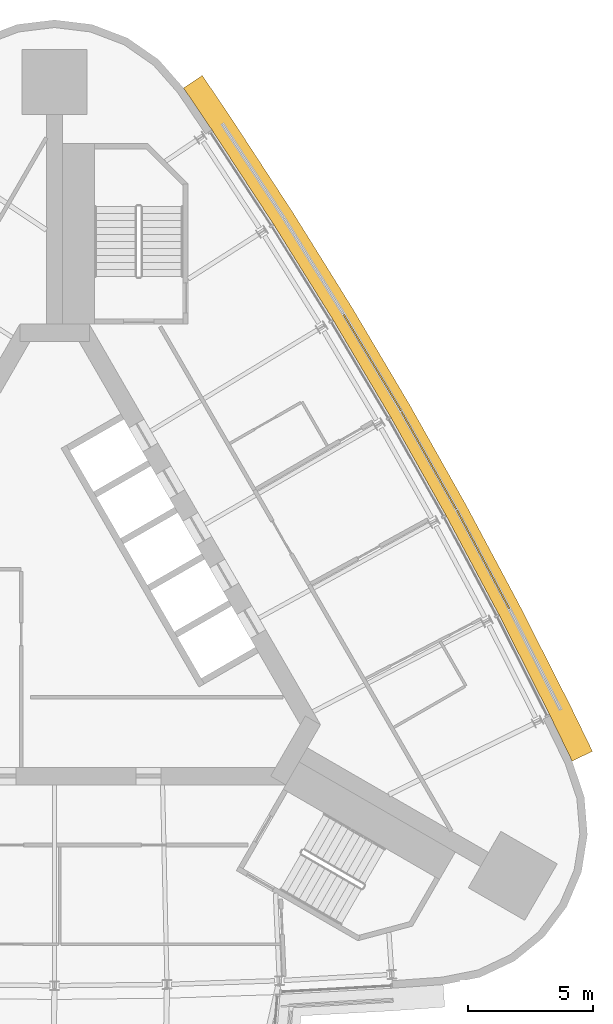
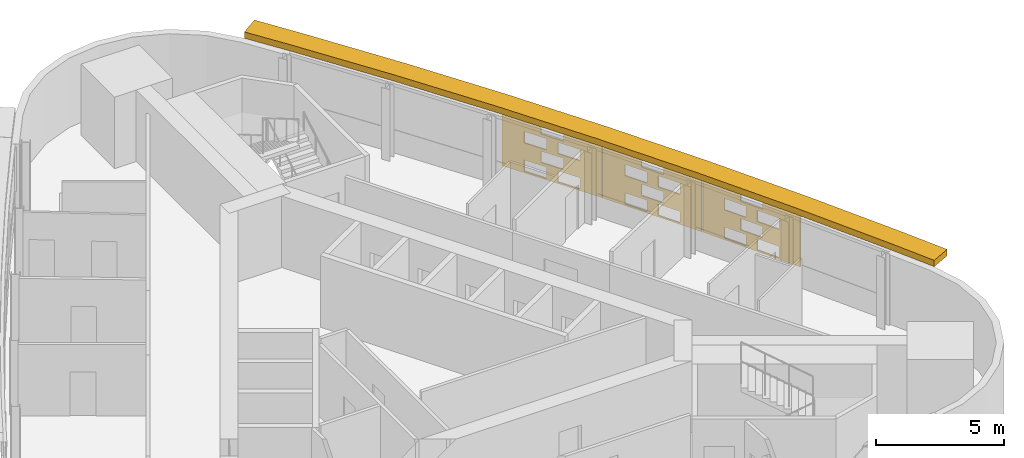
# One storey, part 14 of 14: 4 shading devices.
"""IFC4 building model written with IfcOpenShell, lengths in metres."""

from ifc_helpers import new_model, si_unit, direction, frame, origin, place, context, subcontext, project, spatial, polyline, outline, extrude, material, material_profile, profile_set, type_object, element, save


model = new_model("IFC4")

# Units and contexts
model_context = context("Model", 3, precision=1e-05, world=origin(), true_north=direction((0.0, 1.0)))
body_context = subcontext(model_context, "Body", "Model", "MODEL_VIEW")
ifc_project = project(units=[si_unit("LENGTHUNIT", "METRE"), si_unit("AREAUNIT", "SQUARE_METRE"), si_unit("VOLUMEUNIT", "CUBIC_METRE"), si_unit("PLANEANGLEUNIT", "RADIAN"), si_unit("MASSUNIT", "GRAM", prefix="KILO")], contexts=[model_context])

# Site, building, storey
site_placement = place(None, origin())
site = spatial("IfcSite", under=ifc_project, at=site_placement, CompositionType="ELEMENT")
building_placement = place(site_placement, origin())
building = spatial("IfcBuilding", under=site, at=building_placement, Name="Noor Cloister Tower", CompositionType="ELEMENT")
storey_placement = place(building_placement, frame((0.0, 0.0, 218.39990234375)))
storey = spatial("IfcBuildingStorey", under=building, at=storey_placement, Name="L56", CompositionType="ELEMENT", Elevation=218.39990234375)

# Shading devices
ifc_material_1 = material(Name="Limestone", Category="masonry")
ifc_material_profile = material_profile(ifc_material_1, outline(polyline([(-2.22998046875, -1.35009765625), (2.22998046875, -1.35009765625), (2.22998046875, 1.35009765625), (-2.22998046875, 1.35009765625), (-2.22998046875, -1.35009765625)]), holes=[polyline([(-1.25, -1.282470703125), (-0.25, -1.282470703125), (-0.25, -0.742431640625), (-1.25, -0.742431640625), (-1.25, -1.282470703125)]), polyline([(0.25, -1.282470703125), (1.25, -1.282470703125), (1.25, -0.742431640625), (0.25, -0.742431640625), (0.25, -1.282470703125)]), polyline([(-0.5, -0.607421875), (0.5, -0.607421875), (0.5, -0.0673828125), (-0.5, -0.0673828125), (-0.5, -0.607421875)]), polyline([(-1.25, 0.0673828125), (-0.25, 0.0673828125), (-0.25, 0.607421875), (-1.25, 0.607421875), (-1.25, 0.0673828125)]), polyline([(0.25, 0.0673828125), (1.25, 0.0673828125), (1.25, 0.607421875), (0.25, 0.607421875), (0.25, 0.0673828125)]), polyline([(-0.5, 0.742431640625), (0.5, 0.742431640625), (0.5, 1.282470703125), (-0.5, 1.282470703125), (-0.5, 0.742431640625)])]), Name="Woven screen 35 percent open")
ifc_profile_set = profile_set([ifc_material_profile], Name="Limestone")
shading_device_type_1 = type_object("IfcShadingDeviceType", Name="SCREEN woven limestone 35 percent open", PredefinedType="USERDEFINED", material=ifc_profile_set)
for number, where, z_axis, x_axis, name in (
    (1, (17.07861328125, 2.05078125, 1.85009765625), (0.882692078165, 0.469951800875, 0.0), (-0.469951800875, 0.882692078165, 0.0), "SCREEN L56 2"),
    (2, (14.91064453125, 6.005126953125, 1.85009765625), (0.872227864306, 0.489099736994, 0.0), (-0.489099736994, 0.872227864306, 0.0), "SCREEN L56 3"),
):
    element("IfcShadingDevice", number, at=place(storey_placement, frame(where, z_axis=z_axis, x_axis=x_axis)), inside=storey, type_object=shading_device_type_1, Name=name, ObjectType="SCREEN", PredefinedType="USERDEFINED", context=body_context, shape_type="SweptSolid", body=[
        extrude(outline(polyline([(-2.22998046875, -1.35009765625), (2.22998046875, -1.35009765625), (2.22998046875, 1.35009765625), (-2.22998046875, 1.35009765625), (-2.22998046875, -1.35009765625)]), holes=[polyline([(-1.25, -1.282470703125), (-0.25, -1.282470703125), (-0.25, -0.742431640625), (-1.25, -0.742431640625), (-1.25, -1.282470703125)]), polyline([(0.25, -1.282470703125), (1.25, -1.282470703125), (1.25, -0.742431640625), (0.25, -0.742431640625), (0.25, -1.282470703125)]), polyline([(-0.5, -0.607421875), (0.5, -0.607421875), (0.5, -0.0673828125), (-0.5, -0.0673828125), (-0.5, -0.607421875)]), polyline([(-1.25, 0.0673828125), (-0.25, 0.0673828125), (-0.25, 0.607421875), (-1.25, 0.607421875), (-1.25, 0.0673828125)]), polyline([(0.25, 0.0673828125), (1.25, 0.0673828125), (1.25, 0.607421875), (0.25, 0.607421875), (0.25, 0.0673828125)]), polyline([(-0.5, 0.742431640625), (0.5, 0.742431640625), (0.5, 1.282470703125), (-0.5, 1.282470703125), (-0.5, 0.742431640625)])]), origin(), (0.0, 0.0, 1.0), 0.059814453125),
    ])
shading_device_1_placement = place(storey_placement, frame((12.656005859375, 9.910400390625, 1.85009765625), z_axis=(0.858568146325, 0.512699461786, 0.0), x_axis=(-0.512699461786, 0.858568146325, 0.0)))
element("IfcShadingDevice", 3, at=shading_device_1_placement, inside=storey, type_object=shading_device_type_1, Name="SCREEN L56 4", ObjectType="SCREEN", PredefinedType="USERDEFINED", context=body_context, shape_type="SweptSolid", body=[
    extrude(outline(polyline([(-2.22998046875, -1.35009765625), (2.22998046875, -1.35009765625), (2.22998046875, 1.35009765625), (-2.22998046875, 1.35009765625), (-2.22998046875, -1.35009765625)]), holes=[polyline([(-1.25, -1.282470703125), (-0.25, -1.282470703125), (-0.25, -0.742431640625), (-1.25, -0.742431640625), (-1.25, -1.282470703125)]), polyline([(0.25, -1.282470703125), (1.25, -1.282470703125), (1.25, -0.742431640625), (0.25, -0.742431640625), (0.25, -1.282470703125)]), polyline([(-0.5, -0.607421875), (0.5, -0.607421875), (0.5, -0.0673828125), (-0.5, -0.0673828125), (-0.5, -0.607421875)]), polyline([(-1.25, 0.0673828125), (-0.25, 0.0673828125), (-0.25, 0.607421875), (-1.25, 0.607421875), (-1.25, 0.0673828125)]), polyline([(0.25, 0.0673828125), (1.25, 0.0673828125), (1.25, 0.607421875), (0.25, 0.607421875), (0.25, 0.0673828125)]), polyline([(-0.5, 0.742431640625), (0.5, 0.742431640625), (0.5, 1.282470703125), (-0.5, 1.282470703125), (-0.5, 0.742431640625)])]), origin(), (0.0, 0.0, 1.0), 0.06005859375),
])
ifc_material_2 = material(Name="Limestone", Category="masonry")
shading_device_type_2 = type_object("IfcShadingDeviceType", Name="SUNSHADE limestone band 900", PredefinedType="USERDEFINED", material=ifc_material_2)
shading_device_2_placement = place(storey_placement, frame((0.0, 0.0, 3.300048828125)))
element("IfcShadingDevice", 4, at=shading_device_2_placement, inside=storey, type_object=shading_device_type_2, Name="SUNSHADE L56 3", ObjectType="SUNSHADE", PredefinedType="USERDEFINED", context=body_context, shape_type="SweptSolid", body=[
    extrude(outline(polyline([(21.46533203125, -5.587158203125), (20.57861328125, -3.76171875), (18.539794921875, 0.26904296875), (16.4111328125, 4.256103515625), (14.194580078125, 8.1953125), (11.8916015625, 12.084228515625), (9.5029296875, 15.92138671875), (7.031494140625, 19.702392578125), (5.89404296875, 21.38330078125), (5.148681640625, 20.87890625), (6.2822265625, 19.2041015625), (8.744140625, 15.437255859375), (11.122314453125, 11.6171875), (13.415283203125, 7.745361328125), (15.621826171875, 3.823486328125), (17.7412109375, -0.14599609375), (19.772216796875, -4.16162109375), (20.65576171875, -5.98046875), (21.46533203125, -5.587158203125)])), origin(), (0.0, 0.0, 1.0), 0.300048828125),
])

save(model, "model.ifc")
